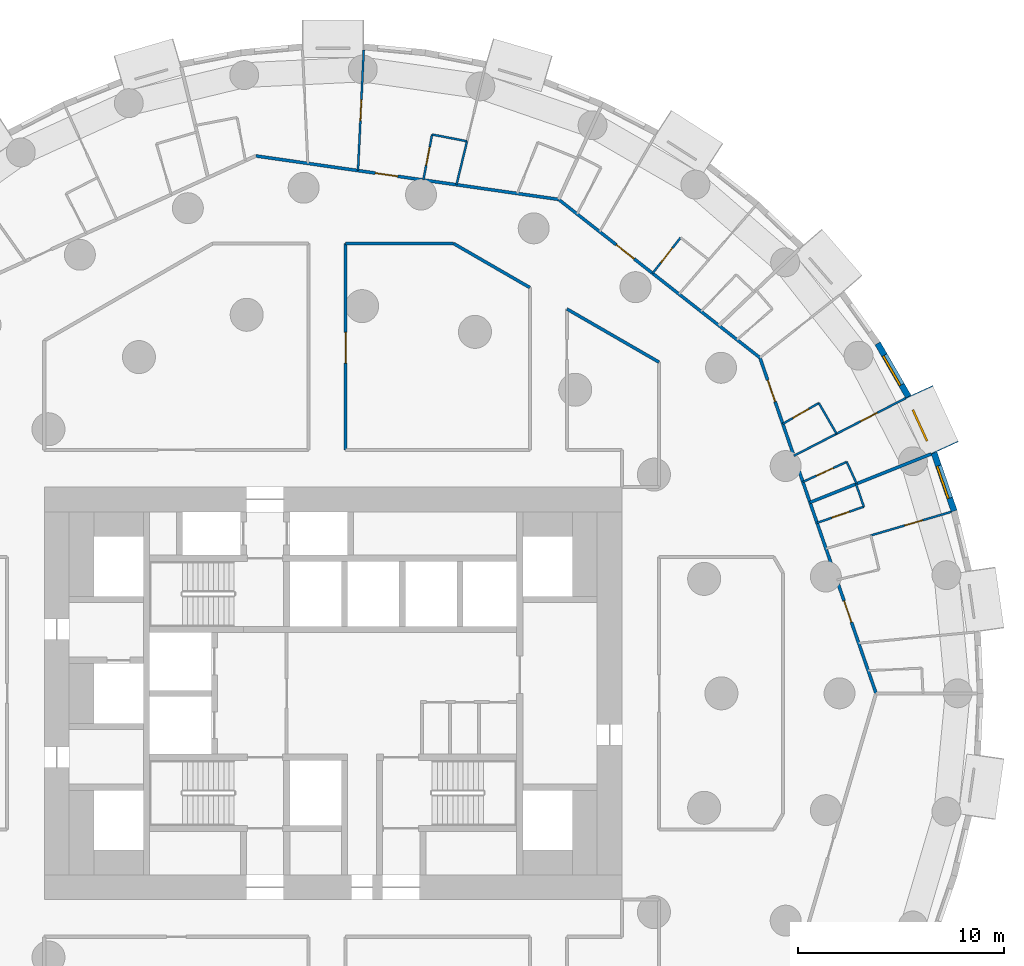
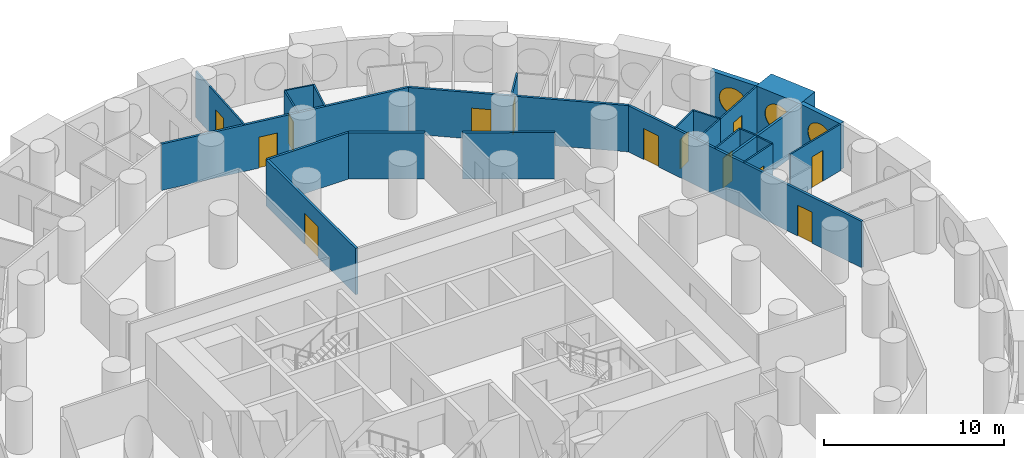
# One storey, part 9 of 12: 26 walls, 13 doors, 3 windows, 16 openings.
"""IFC4 building model written with IfcOpenShell, lengths in metres."""

from ifc_helpers import new_model, si_unit, direction, frame, frame_2d, origin, origin_2d, place, context, subcontext, project, spatial, rectangle, circle, extrude, material, layer, layer_set, type_object, element, fill, save


model = new_model("IFC4")

# Units and contexts
model_context = context("Model", 3, precision=1e-05, world=origin(), true_north=direction((0.0, 1.0)))
body_context = subcontext(model_context, "Body", "Model", "MODEL_VIEW")
ifc_project = project(units=[si_unit("LENGTHUNIT", "METRE"), si_unit("AREAUNIT", "SQUARE_METRE"), si_unit("VOLUMEUNIT", "CUBIC_METRE"), si_unit("PLANEANGLEUNIT", "RADIAN"), si_unit("MASSUNIT", "GRAM", prefix="KILO")], contexts=[model_context])

# Site, building, storey
site_placement = place(None, origin())
site = spatial("IfcSite", under=ifc_project, at=site_placement, CompositionType="ELEMENT")
building_placement = place(site_placement, origin())
building = spatial("IfcBuilding", under=site, at=building_placement, Name="Tracery Tower", CompositionType="ELEMENT")
storey_placement = place(building_placement, frame((0.0, 0.0, 46.199951171875)))
storey = spatial("IfcBuildingStorey", under=building, at=storey_placement, Name="L10", CompositionType="ELEMENT", Elevation=46.199951171875)

# Wall, opening, window
ifc_material_1 = material(Name="Precast concrete C50/60", Category="concrete")
ifc_layer_1 = layer(ifc_material_1, 1.449951171875)
ifc_layer_set_1 = layer_set([ifc_layer_1], Name="Deep-set bay unit 3000 x 3600, slab edge 450")
wall_type_1 = type_object("IfcWallType", Name="Deep-set bay unit 3000 x 3600, slab edge 450", PredefinedType="ELEMENTEDWALL", material=ifc_layer_set_1)
wall_1_placement = place(storey_placement, frame((29.653076171875, 11.89306640625, -0.449951171875), z_axis=(0.0, 0.0, 1.0), x_axis=(-0.415427028395, 0.909626508012, 0.0)))
wall_1 = element("IfcWall", 1, at=wall_1_placement, inside=storey, type_object=wall_type_1, Name="Deep-set bay unit 5 at L10", PredefinedType="ELEMENTEDWALL", context=body_context, shape_type="SweptSolid", body=[
    extrude(rectangle(XDim=3.000244140625, YDim=1.449951171875, at=frame_2d((1.5, 0.0))), origin(), (0.0, 0.0, 1.0), 3.60009765625),
])
opening_1_placement = place(wall_1_placement, frame((1.5, 0.0, 2.0)))
opening_1 = element("IfcOpeningElement", 2, at=opening_1_placement, cuts=wall_1, Name="Opening WN1", PredefinedType="OPENING", context=body_context, shape_type="SweptSolid", body=[
    extrude(circle(Radius=0.9000244140625, at=origin_2d()), frame((0.0, 0.73486328125, 0.0), z_axis=(0.0, -1.0, 0.0), x_axis=(1.0, 0.0, 0.0)), (0.0, 0.0, 1.0), 1.469970703125),
])
ifc_material_2 = material(Name="Aluminium frame with tinted double glazing", Category="aluminium")
window_type = type_object("IfcWindowType", Name="Round window 1800", PartitioningType="SINGLE_PANEL", PredefinedType="WINDOW", material=ifc_material_2)
window_1_placement = place(opening_1_placement, origin())
window_1 = element("IfcWindow", 3, at=window_1_placement, inside=storey, type_object=window_type, Name="Round window 5 at L10", OverallHeight=1.800048828125, OverallWidth=1.800048828125, PartitioningType="SINGLE_PANEL", PredefinedType="WINDOW", context=body_context, shape_type="SweptSolid", body=[
    extrude(circle(Radius=0.9000244140625, at=origin_2d()), frame((0.0, 0.69482421875, 0.0), z_axis=(0.0, -1.0, 0.0), x_axis=(1.0, 0.0, 0.0)), (0.0, 0.0, 1.0), 0.10009765625),
])
fill(opening_1, window_1)

ifc_material_3 = material(Name="Precast concrete C50/60", Category="concrete")
ifc_layer_2 = layer(ifc_material_3, 0.300048828125)
ifc_layer_set_2 = layer_set([ifc_layer_2], Name="Facade panel 3000 x 3150")
wall_type_2 = type_object("IfcWallType", Name="Facade panel 3000 x 3150", PredefinedType="SOLIDWALL", material=ifc_layer_set_2)
wall_2_placement = place(storey_placement, frame((30.103515625, 8.839111328125, 0.0), z_axis=(0.0, 0.0, 1.0), x_axis=(-0.327071167136, 0.944999709856, 0.0)))
wall_2 = element("IfcWall", 4, at=wall_2_placement, inside=storey, type_object=wall_type_2, Name="Facade panel 4 at L10", PredefinedType="SOLIDWALL", context=body_context, shape_type="SweptSolid", body=[
    extrude(rectangle(XDim=2.979736328125, YDim=0.300048828125, at=frame_2d((1.48974609375, 0.0))), origin(), (0.0, 0.0, 1.0), 3.150146484375),
])
opening_2_placement = place(wall_2_placement, frame((1.48974609375, 0.0, 1.5498046875)))
opening_2 = element("IfcOpeningElement", 5, at=opening_2_placement, cuts=wall_2, Name="Opening WN1", PredefinedType="OPENING", context=body_context, shape_type="SweptSolid", body=[
    extrude(circle(Radius=0.9000244140625, at=origin_2d()), frame((0.0, 0.159912109375, 0.0), z_axis=(0.0, -1.0, 0.0), x_axis=(1.0, 0.0, 0.0)), (0.0, 0.0, 1.0), 0.320068359375),
])
window_2_placement = place(opening_2_placement, origin())
window_2 = element("IfcWindow", 6, at=window_2_placement, inside=storey, type_object=window_type, Name="Round window 4 at L10", OverallHeight=1.800048828125, OverallWidth=1.800048828125, PartitioningType="SINGLE_PANEL", PredefinedType="WINDOW", context=body_context, shape_type="SweptSolid", body=[
    extrude(circle(Radius=0.9000244140625, at=origin_2d()), frame((0.0, 0.1201171875, 0.0), z_axis=(0.0, -1.0, 0.0), x_axis=(1.0, 0.0, 0.0)), (0.0, 0.0, 1.0), 0.10009765625),
])
fill(opening_2, window_2)

wall_3_placement = place(storey_placement, frame((27.8837890625, 14.3818359375, 0.0), z_axis=(0.0, 0.0, 1.0), x_axis=(-0.500025049464, 0.866010940986, 0.0)))
wall_3 = element("IfcWall", 7, at=wall_3_placement, inside=storey, type_object=wall_type_2, Name="Facade panel 6 at L10", PredefinedType="SOLIDWALL", context=body_context, shape_type="SweptSolid", body=[
    extrude(rectangle(XDim=2.979736328125, YDim=0.300048828125, at=frame_2d((1.48974609375, 0.0))), origin(), (0.0, 0.0, 1.0), 3.150146484375),
])
opening_3_placement = place(wall_3_placement, frame((1.48974609375, 0.0, 1.5498046875)))
opening_3 = element("IfcOpeningElement", 8, at=opening_3_placement, cuts=wall_3, Name="Opening WN1", PredefinedType="OPENING", context=body_context, shape_type="SweptSolid", body=[
    extrude(circle(Radius=0.9000244140625, at=origin_2d()), frame((0.0, 0.159912109375, 0.0), z_axis=(0.0, -1.0, 0.0), x_axis=(1.0, 0.0, 0.0)), (0.0, 0.0, 1.0), 0.320068359375),
])
window_3_placement = place(opening_3_placement, origin())
window_3 = element("IfcWindow", 9, at=window_3_placement, inside=storey, type_object=window_type, Name="Round window 6 at L10", OverallHeight=1.800048828125, OverallWidth=1.800048828125, PartitioningType="SINGLE_PANEL", PredefinedType="WINDOW", context=body_context, shape_type="SweptSolid", body=[
    extrude(circle(Radius=0.9000244140625, at=origin_2d()), frame((0.0, 0.1201171875, 0.0), z_axis=(0.0, -1.0, 0.0), x_axis=(1.0, 0.0, 0.0)), (0.0, 0.0, 1.0), 0.10009765625),
])
fill(opening_3, window_3)

# Wall, opening, door
ifc_material_4 = material(Name="Plasterboard on steel studs", Category="steel")
ifc_layer_3 = layer(ifc_material_4, 0.10009765625)
ifc_layer_set_3 = layer_set([ifc_layer_3], Name="Partition 100 stud")
wall_type_3 = type_object("IfcWallType", Name="Partition 100 stud", PredefinedType="PARTITIONING", material=ifc_layer_set_3)
wall_4_placement = place(storey_placement, frame((26.06396484375, 7.653076171875, 0.0), z_axis=(0.0, 0.0, 1.0), x_axis=(0.959468862097, 0.281814660134, 0.0)))
wall_4 = element("IfcWall", 10, at=wall_4_placement, inside=storey, type_object=wall_type_3, Name="Stud partition RA2-061", PredefinedType="PARTITIONING", context=body_context, shape_type="SweptSolid", body=[
    extrude(rectangle(XDim=4.0595703125, YDim=0.10009765625, at=frame_2d((2.02978515625, 0.0))), origin(), (0.0, 0.0, 1.0), 3.150146484375),
])
opening_4_placement = place(wall_4_placement, frame((1.718017578125, 0.0, 0.0)))
opening_4 = element("IfcOpeningElement", 11, at=opening_4_placement, cuts=wall_4, Name="Opening RA2-13", PredefinedType="OPENING", context=body_context, shape_type="SweptSolid", body=[
    extrude(rectangle(XDim=0.89990234375, YDim=2.10009765625, at=frame_2d((0.449951171875, 1.050048828125))), frame((0.0, 0.050048828125, 0.0), z_axis=(0.0, -1.0, 0.0), x_axis=(1.0, 0.0, 0.0)), (0.0, 0.0, 1.0), 0.10009765625),
])
ifc_material_5 = material(Name="Timber door leaf", Category="wood")
door_type_1 = type_object("IfcDoorType", Name="Door bedroom 900", OperationType="NOTDEFINED", PredefinedType="DOOR", material=ifc_material_5)
door_1_placement = place(opening_4_placement, origin())
door_1 = element("IfcDoor", 12, at=door_1_placement, inside=storey, type_object=door_type_1, Name="Bedroom door RA2-13", OperationType="SINGLE_SWING_RIGHT", OverallHeight=2.10009765625, OverallWidth=0.89990234375, PredefinedType="DOOR", context=body_context, shape_type="SweptSolid", body=[
    extrude(rectangle(XDim=0.89990234375, YDim=2.10009765625, at=frame_2d((0.449951171875, 1.050048828125))), frame((0.0, 0.02490234375, 0.0), z_axis=(0.0, -1.0, 0.0), x_axis=(1.0, 0.0, 0.0)), (0.0, 0.0, 1.0), 0.050048828125),
])
fill(opening_4, door_1)

wall_5_placement = place(storey_placement, frame((24.404052734375, 12.58203125, 0.0), z_axis=(0.0, 0.0, 1.0), x_axis=(0.888877805079, 0.458144352403, 0.0)))
wall_5 = element("IfcWall", 13, at=wall_5_placement, inside=storey, type_object=wall_type_3, Name="Stud partition RA2-072", PredefinedType="PARTITIONING", context=body_context, shape_type="SweptSolid", body=[
    extrude(rectangle(XDim=3.767578125, YDim=0.10009765625, at=frame_2d((1.8837890625, 0.0))), origin(), (0.0, 0.0, 1.0), 3.150146484375),
])
opening_5_placement = place(wall_5_placement, frame((1.310546875, 0.0, 0.0)))
opening_5 = element("IfcOpeningElement", 14, at=opening_5_placement, cuts=wall_5, Name="Opening RA2-17", PredefinedType="OPENING", context=body_context, shape_type="SweptSolid", body=[
    extrude(rectangle(XDim=0.89990234375, YDim=2.10009765625, at=frame_2d((0.449951171875, 1.050048828125))), frame((0.0, 0.050048828125, 0.0), z_axis=(0.0, -1.0, 0.0), x_axis=(1.0, 0.0, 0.0)), (0.0, 0.0, 1.0), 0.10009765625),
])
door_2_placement = place(opening_5_placement, origin())
door_2 = element("IfcDoor", 15, at=door_2_placement, inside=storey, type_object=door_type_1, Name="Bedroom door RA2-17", OperationType="SINGLE_SWING_RIGHT", OverallHeight=2.10009765625, OverallWidth=0.89990234375, PredefinedType="DOOR", context=body_context, shape_type="SweptSolid", body=[
    extrude(rectangle(XDim=0.89990234375, YDim=2.10009765625, at=frame_2d((0.449951171875, 1.050048828125))), frame((0.0, 0.02490234375, 0.0), z_axis=(0.0, -1.0, 0.0), x_axis=(1.0, 0.0, 0.0)), (0.0, 0.0, 1.0), 0.050048828125),
])
fill(opening_5, door_2)

wall_6_placement = place(storey_placement, frame((1.20703125, 25.339111328125, 0.0), z_axis=(0.0, 0.0, 1.0), x_axis=(0.047648334785, 0.998864173045, 0.0)))
wall_6 = element("IfcWall", 16, at=wall_6_placement, inside=storey, type_object=wall_type_3, Name="Stud partition RA2-090", PredefinedType="PARTITIONING", context=body_context, shape_type="SweptSolid", body=[
    extrude(rectangle(XDim=5.8564453125, YDim=0.10009765625, at=frame_2d((2.92822265625, 0.0))), origin(), (0.0, 0.0, 1.0), 3.150146484375),
])
opening_6_placement = place(wall_6_placement, frame((2.427978515625, 0.0, 0.0)))
opening_6 = element("IfcOpeningElement", 17, at=opening_6_placement, cuts=wall_6, Name="Opening RA2-28", PredefinedType="OPENING", context=body_context, shape_type="SweptSolid", body=[
    extrude(rectangle(XDim=1.0, YDim=2.0400390625, at=frame_2d((0.5, 1.02001953125))), frame((0.0, 0.050048828125, 0.0), z_axis=(0.0, -1.0, 0.0), x_axis=(1.0, 0.0, 0.0)), (0.0, 0.0, 1.0), 0.10009765625),
])
ifc_material_6 = material(Name="Timber door leaf", Category="wood")
door_type_2 = type_object("IfcDoorType", Name="Door communal room 1000", OperationType="NOTDEFINED", PredefinedType="DOOR", material=ifc_material_6)
door_3_placement = place(opening_6_placement, origin())
door_3 = element("IfcDoor", 18, at=door_3_placement, inside=storey, type_object=door_type_2, Name="Communal room door RA2-28", OperationType="SINGLE_SWING_LEFT", OverallHeight=2.0400390625, OverallWidth=1.0, PredefinedType="DOOR", context=body_context, shape_type="SweptSolid", body=[
    extrude(rectangle(XDim=1.0, YDim=2.0400390625, at=frame_2d((0.5, 1.02001953125))), frame((0.0, 0.02490234375, 0.0), z_axis=(0.0, -1.0, 0.0), x_axis=(1.0, 0.0, 0.0)), (0.0, 0.0, 1.0), 0.050048828125),
])
fill(opening_6, door_3)

ifc_material_7 = material(Name="Plasterboard on steel studs", Category="steel")
ifc_layer_4 = layer(ifc_material_7, 0.10009765625)
ifc_layer_set_4 = layer_set([ifc_layer_4], Name="Partition 100 wet wall")
wall_type_4 = type_object("IfcWallType", Name="Partition 100 wet wall", PredefinedType="PARTITIONING", material=ifc_layer_set_4)
wall_7_placement = place(storey_placement, frame((23.458984375, 8.262939453125, 0.0), z_axis=(0.0, 0.0, 1.0), x_axis=(0.944978817091, 0.327131525917, 0.0)))
wall_7 = element("IfcWall", 19, at=wall_7_placement, inside=storey, type_object=wall_type_4, Name="Wet wall RA2-066", PredefinedType="PARTITIONING", context=body_context, shape_type="SweptSolid", body=[
    extrude(rectangle(XDim=2.400146484375, YDim=0.10009765625, at=frame_2d((1.2001953125, 0.0))), origin(), (0.0, 0.0, 1.0), 3.150146484375),
])
opening_7_placement = place(wall_7_placement, frame((0.75, 0.0, 0.0)))
opening_7 = element("IfcOpeningElement", 20, at=opening_7_placement, cuts=wall_7, Name="Opening RA2-14", PredefinedType="OPENING", context=body_context, shape_type="SweptSolid", body=[
    extrude(rectangle(XDim=0.89990234375, YDim=2.0400390625, at=frame_2d((0.449951171875, 1.02001953125))), frame((0.0, 0.050048828125, 0.0), z_axis=(0.0, -1.0, 0.0), x_axis=(1.0, 0.0, 0.0)), (0.0, 0.0, 1.0), 0.10009765625),
])
ifc_material_8 = material(Name="Timber door leaf", Category="wood")
door_type_3 = type_object("IfcDoorType", Name="Door en-suite 900", OperationType="NOTDEFINED", PredefinedType="DOOR", material=ifc_material_8)
door_4_placement = place(opening_7_placement, origin())
door_4 = element("IfcDoor", 21, at=door_4_placement, inside=storey, type_object=door_type_3, Name="En-suite door RA2-14", OperationType="SINGLE_SWING_LEFT", OverallHeight=2.0400390625, OverallWidth=0.89990234375, PredefinedType="DOOR", context=body_context, shape_type="SweptSolid", body=[
    extrude(rectangle(XDim=0.89990234375, YDim=2.0400390625, at=frame_2d((0.449951171875, 1.02001953125))), frame((0.0, 0.02490234375, 0.0), z_axis=(0.0, -1.0, 0.0), x_axis=(1.0, 0.0, 0.0)), (0.0, 0.0, 1.0), 0.050048828125),
])
fill(opening_7, door_4)

# Walls
wall_8_placement = place(storey_placement, frame((25.345947265625, 10.14697265625, 0.0), z_axis=(0.0, 0.0, 1.0), x_axis=(0.327665639351, -0.944793749338, 0.0)))
element("IfcWall", 22, at=wall_8_placement, inside=storey, type_object=wall_type_4, Name="Wet wall RA2-067", PredefinedType="PARTITIONING", context=body_context, shape_type="SweptSolid", body=[
    extrude(rectangle(XDim=1.1630859375, YDim=0.10009765625, at=frame_2d((0.58154296875, 0.0))), origin(), (0.0, 0.0, 1.0), 3.150146484375),
])
wall_9_placement = place(storey_placement, frame((23.5439453125, 14.072021484375, 0.0), z_axis=(0.0, 0.0, 1.0), x_axis=(0.499939472521, -0.866060346521, 0.0)))
element("IfcWall", 23, at=wall_9_placement, inside=storey, type_object=wall_type_4, Name="Wet wall RA2-070", PredefinedType="PARTITIONING", context=body_context, shape_type="SweptSolid", body=[
    extrude(rectangle(XDim=1.720458984375, YDim=0.10009765625, at=frame_2d((0.8603515625, 0.0))), origin(), (0.0, 0.0, 1.0), 3.150146484375),
])

# Wall, opening, door
wall_10_placement = place(storey_placement, frame((21.798095703125, 13.06298828125, 0.0), z_axis=(0.0, 0.0, 1.0), x_axis=(0.865796302872, 0.500396604638, 0.0)))
wall_10 = element("IfcWall", 24, at=wall_10_placement, inside=storey, type_object=wall_type_4, Name="Wet wall RA2-071", PredefinedType="PARTITIONING", context=body_context, shape_type="SweptSolid", body=[
    extrude(rectangle(XDim=2.016357421875, YDim=0.10009765625, at=frame_2d((1.00830078125, 0.0))), origin(), (0.0, 0.0, 1.0), 3.150146484375),
])
opening_8_placement = place(wall_10_placement, frame((0.55859375, 0.0, 0.0)))
opening_8 = element("IfcOpeningElement", 25, at=opening_8_placement, cuts=wall_10, Name="Opening RA2-16", PredefinedType="OPENING", context=body_context, shape_type="SweptSolid", body=[
    extrude(rectangle(XDim=0.89990234375, YDim=2.0, at=frame_2d((0.449951171875, 1.0))), frame((0.0, 0.050048828125, 0.0), z_axis=(0.0, -1.0, 0.0), x_axis=(1.0, 0.0, 0.0)), (0.0, 0.0, 1.0), 0.10009765625),
])
ifc_material_9 = material(Name="Timber door leaf", Category="wood")
door_type_4 = type_object("IfcDoorType", Name="Door shower room 900", OperationType="NOTDEFINED", PredefinedType="DOOR", material=ifc_material_9)
door_5_placement = place(opening_8_placement, origin())
door_5 = element("IfcDoor", 26, at=door_5_placement, inside=storey, type_object=door_type_4, Name="Shower room door RA2-16", OperationType="SINGLE_SWING_LEFT", OverallHeight=2.0, OverallWidth=0.89990234375, PredefinedType="DOOR", context=body_context, shape_type="SweptSolid", body=[
    extrude(rectangle(XDim=0.89990234375, YDim=2.0, at=frame_2d((0.449951171875, 1.0))), frame((0.0, 0.02490234375, 0.0), z_axis=(0.0, -1.0, 0.0), x_axis=(1.0, 0.0, 0.0)), (0.0, 0.0, 1.0), 0.050048828125),
])
fill(opening_8, door_5)

# Walls
wall_11_placement = place(storey_placement, frame((22.333984375, 11.513916015625, 0.0), z_axis=(0.0, 0.0, 1.0), x_axis=(0.888674390259, 0.45853879672, 0.0)))
element("IfcWall", 27, at=wall_11_placement, inside=storey, type_object=wall_type_4, Name="Wet wall RA2-074", PredefinedType="PARTITIONING", context=body_context, shape_type="SweptSolid", body=[
    extrude(rectangle(XDim=2.329345703125, YDim=0.10009765625, at=frame_2d((1.16455078125, 0.0))), origin(), (0.0, 0.0, 1.0), 3.150146484375),
])
wall_12_placement = place(storey_placement, frame((24.89599609375, 11.219970703125, 0.0), z_axis=(0.0, 0.0, 1.0), x_axis=(0.415254658207, -0.909705209855, 0.0)))
element("IfcWall", 28, at=wall_12_placement, inside=storey, type_object=wall_type_4, Name="Wet wall RA2-075", PredefinedType="PARTITIONING", context=body_context, shape_type="SweptSolid", body=[
    extrude(rectangle(XDim=1.165283203125, YDim=0.10009765625, at=frame_2d((0.58251953125, 0.0))), origin(), (0.0, 0.0, 1.0), 3.150146484375),
])

# Wall, opening, door
wall_13_placement = place(storey_placement, frame((22.77099609375, 10.25, 0.0), z_axis=(0.0, 0.0, 1.0), x_axis=(0.909710320081, 0.415243462969, 0.0)))
wall_13 = element("IfcWall", 29, at=wall_13_placement, inside=storey, type_object=wall_type_4, Name="Wet wall RA2-076", PredefinedType="PARTITIONING", context=body_context, shape_type="SweptSolid", body=[
    extrude(rectangle(XDim=2.3359375, YDim=0.10009765625, at=frame_2d((1.16796875, 0.0))), origin(), (0.0, 0.0, 1.0), 3.150146484375),
])
opening_9_placement = place(wall_13_placement, frame((0.718017578125, 0.0, 0.0)))
opening_9 = element("IfcOpeningElement", 30, at=opening_9_placement, cuts=wall_13, Name="Opening RA2-18", PredefinedType="OPENING", context=body_context, shape_type="SweptSolid", body=[
    extrude(rectangle(XDim=0.89990234375, YDim=2.0400390625, at=frame_2d((0.449951171875, 1.02001953125))), frame((0.0, 0.050048828125, 0.0), z_axis=(0.0, -1.0, 0.0), x_axis=(1.0, 0.0, 0.0)), (0.0, 0.0, 1.0), 0.10009765625),
])
door_6_placement = place(opening_9_placement, origin())
door_6 = element("IfcDoor", 31, at=door_6_placement, inside=storey, type_object=door_type_3, Name="En-suite door RA2-18", OperationType="SINGLE_SWING_RIGHT", OverallHeight=2.0400390625, OverallWidth=0.89990234375, PredefinedType="DOOR", context=body_context, shape_type="SweptSolid", body=[
    extrude(rectangle(XDim=0.89990234375, YDim=2.0400390625, at=frame_2d((0.449951171875, 1.02001953125))), frame((0.0, 0.02490234375, 0.0), z_axis=(0.0, -1.0, 0.0), x_axis=(1.0, 0.0, 0.0)), (0.0, 0.0, 1.0), 0.050048828125),
])
fill(opening_9, door_6)

wall_14_placement = place(storey_placement, frame((15.485107421875, 20.361083984375, 0.0), z_axis=(0.0, 0.0, 1.0), x_axis=(0.618203810204, 0.786017842704, 0.0)))
wall_14 = element("IfcWall", 32, at=wall_14_placement, inside=storey, type_object=wall_type_4, Name="Wet wall RA2-081", PredefinedType="PARTITIONING", context=body_context, shape_type="SweptSolid", body=[
    extrude(rectangle(XDim=2.19970703125, YDim=0.10009765625, at=frame_2d((1.099853515625, 0.0))), origin(), (0.0, 0.0, 1.0), 3.150146484375),
])
opening_10_placement = place(wall_14_placement, frame((0.64990234375, 0.0, 0.0)))
opening_10 = element("IfcOpeningElement", 33, at=opening_10_placement, cuts=wall_14, Name="Opening RA2-22", PredefinedType="OPENING", context=body_context, shape_type="SweptSolid", body=[
    extrude(rectangle(XDim=0.89990234375, YDim=2.0, at=frame_2d((0.449951171875, 1.0))), frame((0.0, 0.050048828125, 0.0), z_axis=(0.0, -1.0, 0.0), x_axis=(1.0, 0.0, 0.0)), (0.0, 0.0, 1.0), 0.10009765625),
])
door_7_placement = place(opening_10_placement, origin())
door_7 = element("IfcDoor", 34, at=door_7_placement, inside=storey, type_object=door_type_4, Name="Shower room door RA2-22", OperationType="SINGLE_SWING_RIGHT", OverallHeight=2.0, OverallWidth=0.89990234375, PredefinedType="DOOR", context=body_context, shape_type="SweptSolid", body=[
    extrude(rectangle(XDim=0.89990234375, YDim=2.0, at=frame_2d((0.449951171875, 1.0))), frame((0.0, 0.02490234375, 0.0), z_axis=(0.0, -1.0, 0.0), x_axis=(1.0, 0.0, 0.0)), (0.0, 0.0, 1.0), 0.050048828125),
])
fill(opening_10, door_7)

# Wall
wall_15_placement = place(storey_placement, frame((4.799072265625, 27.087890625, 0.0), z_axis=(0.0, 0.0, 1.0), x_axis=(0.981966020483, -0.189057490243, 0.0)))
element("IfcWall", 35, at=wall_15_placement, inside=storey, type_object=wall_type_4, Name="Wet wall RA2-091", PredefinedType="PARTITIONING", context=body_context, shape_type="SweptSolid", body=[
    extrude(rectangle(XDim=1.723876953125, YDim=0.10009765625, at=frame_2d((0.86181640625, 0.0))), origin(), (0.0, 0.0, 1.0), 3.150146484375),
])

# Wall, opening, door
wall_16_placement = place(storey_placement, frame((4.3740234375, 24.883056640625, 0.0), z_axis=(0.0, 0.0, 1.0), x_axis=(0.189295003519, 0.981920262365, 0.0)))
wall_16 = element("IfcWall", 36, at=wall_16_placement, inside=storey, type_object=wall_type_4, Name="Wet wall RA2-092", PredefinedType="PARTITIONING", context=body_context, shape_type="SweptSolid", body=[
    extrude(rectangle(XDim=2.245361328125, YDim=0.10009765625, at=frame_2d((1.12255859375, 0.0))), origin(), (0.0, 0.0, 1.0), 3.150146484375),
])
opening_11_placement = place(wall_16_placement, frame((0.72265625, 0.0, 0.0)))
opening_11 = element("IfcOpeningElement", 37, at=opening_11_placement, cuts=wall_16, Name="Opening RA2-29", PredefinedType="OPENING", context=body_context, shape_type="SweptSolid", body=[
    extrude(rectangle(XDim=0.89990234375, YDim=2.0, at=frame_2d((0.449951171875, 1.0))), frame((0.0, 0.050048828125, 0.0), z_axis=(0.0, -1.0, 0.0), x_axis=(1.0, 0.0, 0.0)), (0.0, 0.0, 1.0), 0.10009765625),
])
door_8_placement = place(opening_11_placement, origin())
door_8 = element("IfcDoor", 38, at=door_8_placement, inside=storey, type_object=door_type_4, Name="Shower room door RA2-29", OperationType="SINGLE_SWING_LEFT", OverallHeight=2.0, OverallWidth=0.89990234375, PredefinedType="DOOR", context=body_context, shape_type="SweptSolid", body=[
    extrude(rectangle(XDim=0.89990234375, YDim=2.0, at=frame_2d((0.449951171875, 1.0))), frame((0.0, 0.02490234375, 0.0), z_axis=(0.0, -1.0, 0.0), x_axis=(1.0, 0.0, 0.0)), (0.0, 0.0, 1.0), 0.050048828125),
])
fill(opening_11, door_8)

# Walls
wall_17_placement = place(storey_placement, frame((5.98095703125, 24.652099609375, 0.0), z_axis=(0.0, 0.0, 1.0), x_axis=(0.235384360709, 0.971902362757, 0.0)))
element("IfcWall", 39, at=wall_17_placement, inside=storey, type_object=wall_type_4, Name="Wet wall RA2-095", PredefinedType="PARTITIONING", context=body_context, shape_type="SweptSolid", body=[
    extrude(rectangle(XDim=2.1708984375, YDim=0.10009765625, at=frame_2d((1.08544921875, 0.0))), origin(), (0.0, 0.0, 1.0), 3.150146484375),
])
ifc_material_10 = material(Name="Plasterboard on steel studs", Category="steel")
ifc_layer_5 = layer(ifc_material_10, 0.14990234375)
ifc_layer_set_5 = layer_set([ifc_layer_5], Name="Partition 150 acoustic unit wall")
wall_type_5 = type_object("IfcWallType", Name="Partition 150 acoustic unit wall", PredefinedType="PARTITIONING", material=ifc_layer_set_5)
wall_18_placement = place(storey_placement, frame((25.3759765625, 10.158935546875, 0.0), z_axis=(0.0, 0.0, 1.0), x_axis=(0.928368463908, 0.371661129553, 0.0)))
element("IfcWall", 40, at=wall_18_placement, inside=storey, type_object=wall_type_5, Name="Unit wall RA2-068", PredefinedType="PARTITIONING", context=body_context, shape_type="SweptSolid", body=[
    extrude(rectangle(XDim=3.890869140625, YDim=0.14990234375, at=frame_2d((1.9453125, 0.0))), origin(), (0.0, 0.0, 1.0), 3.150146484375),
])
wall_19_placement = place(storey_placement, frame((23.115966796875, 9.25390625, 0.0), z_axis=(0.0, 0.0, 1.0), x_axis=(0.928322407966, 0.371776151559, 0.0)))
element("IfcWall", 41, at=wall_19_placement, inside=storey, type_object=wall_type_5, Name="Unit wall RA2-069", PredefinedType="PARTITIONING", context=body_context, shape_type="SweptSolid", body=[
    extrude(rectangle(XDim=2.402099609375, YDim=0.14990234375, at=frame_2d((1.201171875, 0.0))), origin(), (0.0, 0.0, 1.0), 3.150146484375),
])

# Wall, openings, doors
ifc_material_11 = material(Name="Plasterboard on steel studs", Category="steel")
ifc_layer_6 = layer(ifc_material_11, 0.14990234375)
ifc_layer_set_6 = layer_set([ifc_layer_6], Name="Partition 150 corridor wall")
wall_type_6 = type_object("IfcWallType", Name="Partition 150 corridor wall", PredefinedType="PARTITIONING", material=ifc_layer_set_6)
wall_20_placement = place(storey_placement, frame((20.68896484375, 16.269287109375, 0.0), z_axis=(0.0, 0.0, 1.0), x_axis=(0.327000485361, -0.945024170365, 0.0)))
wall_20 = element("IfcWall", 42, at=wall_20_placement, inside=storey, type_object=wall_type_6, Name="Corridor wall RA2-020", PredefinedType="PARTITIONING", context=body_context, shape_type="SweptSolid", body=[
    extrude(rectangle(XDim=17.216064453125, YDim=0.14990234375, at=frame_2d((8.60791015625, 0.0))), origin(), (0.0, 0.0, 1.0), 3.150146484375),
])
opening_12_placement = place(wall_20_placement, frame((12.4697265625, 0.0, 0.0)))
opening_12 = element("IfcOpeningElement", 43, at=opening_12_placement, cuts=wall_20, Name="Opening RA2-09", PredefinedType="OPENING", context=body_context, shape_type="SweptSolid", body=[
    extrude(rectangle(XDim=1.10009765625, YDim=2.10009765625, at=frame_2d((0.550048828125, 1.050048828125))), frame((0.0, 0.074951171875, 0.0), z_axis=(0.0, -1.0, 0.0), x_axis=(1.0, 0.0, 0.0)), (0.0, 0.0, 1.0), 0.14990234375),
])
opening_13_placement = place(wall_20_placement, frame((1.14794921875, 0.0, 0.0)))
opening_13 = element("IfcOpeningElement", 44, at=opening_13_placement, cuts=wall_20, Name="Opening RA2-15", PredefinedType="OPENING", context=body_context, shape_type="SweptSolid", body=[
    extrude(rectangle(XDim=1.10009765625, YDim=2.10009765625, at=frame_2d((0.550048828125, 1.050048828125))), frame((0.0, 0.074951171875, 0.0), z_axis=(0.0, -1.0, 0.0), x_axis=(1.0, 0.0, 0.0)), (0.0, 0.0, 1.0), 0.14990234375),
])
ifc_material_12 = material(Name="Timber door leaf", Category="wood")
door_type_5 = type_object("IfcDoorType", Name="Door cluster entrance 1100", OperationType="NOTDEFINED", PredefinedType="DOOR", material=ifc_material_12)
door_9_placement = place(opening_12_placement, origin())
door_9 = element("IfcDoor", 45, at=door_9_placement, inside=storey, type_object=door_type_5, Name="Cluster entrance door RA2-09", OperationType="SINGLE_SWING_LEFT", OverallHeight=2.10009765625, OverallWidth=1.10009765625, PredefinedType="DOOR", context=body_context, shape_type="SweptSolid", body=[
    extrude(rectangle(XDim=1.10009765625, YDim=2.10009765625, at=frame_2d((0.550048828125, 1.050048828125))), frame((0.0, 0.02490234375, 0.0), z_axis=(0.0, -1.0, 0.0), x_axis=(1.0, 0.0, 0.0)), (0.0, 0.0, 1.0), 0.050048828125),
])
fill(opening_12, door_9)
door_10_placement = place(opening_13_placement, origin())
door_10 = element("IfcDoor", 46, at=door_10_placement, inside=storey, type_object=door_type_5, Name="Cluster entrance door RA2-15", OperationType="SINGLE_SWING_LEFT", OverallHeight=2.10009765625, OverallWidth=1.10009765625, PredefinedType="DOOR", context=body_context, shape_type="SweptSolid", body=[
    extrude(rectangle(XDim=1.10009765625, YDim=2.10009765625, at=frame_2d((0.550048828125, 1.050048828125))), frame((0.0, 0.02490234375, 0.0), z_axis=(0.0, -1.0, 0.0), x_axis=(1.0, 0.0, 0.0)), (0.0, 0.0, 1.0), 0.050048828125),
])
fill(opening_13, door_10)

# Wall, opening, door
wall_21_placement = place(storey_placement, frame((10.93310546875, 23.93994140625, 0.0), z_axis=(0.0, 0.0, 1.0), x_axis=(0.786069782367, -0.618137765591, 0.0)))
wall_21 = element("IfcWall", 47, at=wall_21_placement, inside=storey, type_object=wall_type_6, Name="Corridor wall RA2-021", PredefinedType="PARTITIONING", context=body_context, shape_type="SweptSolid", body=[
    extrude(rectangle(XDim=12.40966796875, YDim=0.14990234375, at=frame_2d((6.204833984375, 0.0))), origin(), (0.0, 0.0, 1.0), 3.150146484375),
])
opening_14_placement = place(wall_21_placement, frame((3.558837890625, 0.0, 0.0)))
opening_14 = element("IfcOpeningElement", 48, at=opening_14_placement, cuts=wall_21, Name="Opening RA2-21", PredefinedType="OPENING", context=body_context, shape_type="SweptSolid", body=[
    extrude(rectangle(XDim=1.10009765625, YDim=2.10009765625, at=frame_2d((0.550048828125, 1.050048828125))), frame((0.0, 0.074951171875, 0.0), z_axis=(0.0, -1.0, 0.0), x_axis=(1.0, 0.0, 0.0)), (0.0, 0.0, 1.0), 0.14990234375),
])
door_11_placement = place(opening_14_placement, origin())
door_11 = element("IfcDoor", 49, at=door_11_placement, inside=storey, type_object=door_type_5, Name="Cluster entrance door RA2-21", OperationType="SINGLE_SWING_LEFT", OverallHeight=2.10009765625, OverallWidth=1.10009765625, PredefinedType="DOOR", context=body_context, shape_type="SweptSolid", body=[
    extrude(rectangle(XDim=1.10009765625, YDim=2.10009765625, at=frame_2d((0.550048828125, 1.050048828125))), frame((0.0, 0.02490234375, 0.0), z_axis=(0.0, -1.0, 0.0), x_axis=(1.0, 0.0, 0.0)), (0.0, 0.0, 1.0), 0.050048828125),
])
fill(opening_14, door_11)

# Walls
wall_22_placement = place(storey_placement, frame((5.842041015625, 21.802001953125, 0.0), z_axis=(0.0, 0.0, 1.0), x_axis=(0.865983505205, -0.500072563448, 0.0)))
element("IfcWall", 50, at=wall_22_placement, inside=storey, type_object=wall_type_6, Name="Corridor wall RA2-029", PredefinedType="PARTITIONING", context=body_context, shape_type="SweptSolid", body=[
    extrude(rectangle(XDim=4.265380859375, YDim=0.14990234375, at=frame_2d((2.1328125, 0.0))), origin(), (0.0, 0.0, 1.0), 3.150146484375),
])
wall_23_placement = place(storey_placement, frame((0.60791015625, 21.802001953125, 0.0), z_axis=(0.0, 0.0, 1.0), x_axis=(1.0, 0.0, 0.0)))
element("IfcWall", 51, at=wall_23_placement, inside=storey, type_object=wall_type_6, Name="Corridor wall RA2-030", PredefinedType="PARTITIONING", context=body_context, shape_type="SweptSolid", body=[
    extrude(rectangle(XDim=5.234130859375, YDim=0.14990234375, at=frame_2d((2.6171875, 0.0))), origin(), (0.0, 0.0, 1.0), 3.150146484375),
])

# Wall, opening, door
wall_24_placement = place(storey_placement, frame((0.60791015625, 11.800048828125, 0.0), z_axis=(0.0, 0.0, 1.0), x_axis=(0.0, 1.0, 0.0)))
wall_24 = element("IfcWall", 52, at=wall_24_placement, inside=storey, type_object=wall_type_6, Name="Corridor wall RA2-031", PredefinedType="PARTITIONING", context=body_context, shape_type="SweptSolid", body=[
    extrude(rectangle(XDim=10.001953125, YDim=0.14990234375, at=frame_2d((5.0009765625, 0.0))), origin(), (0.0, 0.0, 1.0), 3.150146484375),
])
opening_15_placement = place(wall_24_placement, frame((4.200927734375, 0.0, 0.0)))
opening_15 = element("IfcOpeningElement", 53, at=opening_15_placement, cuts=wall_24, Name="Opening RA2-02", PredefinedType="OPENING", context=body_context, shape_type="SweptSolid", body=[
    extrude(rectangle(XDim=1.5, YDim=2.10009765625, at=frame_2d((0.75, 1.050048828125))), frame((0.0, 0.074951171875, 0.0), z_axis=(0.0, -1.0, 0.0), x_axis=(1.0, 0.0, 0.0)), (0.0, 0.0, 1.0), 0.14990234375),
])
ifc_material_13 = material(Name="Timber door leaf", Category="wood")
door_type_6 = type_object("IfcDoorType", Name="Door double kitchen 1500", OperationType="NOTDEFINED", PredefinedType="DOOR", material=ifc_material_13)
door_12_placement = place(opening_15_placement, origin())
door_12 = element("IfcDoor", 54, at=door_12_placement, inside=storey, type_object=door_type_6, Name="Double kitchen door RA2-02", OperationType="DOUBLE_DOOR_SINGLE_SWING", OverallHeight=2.10009765625, OverallWidth=1.5, PredefinedType="DOOR", context=body_context, shape_type="SweptSolid", body=[
    extrude(rectangle(XDim=1.5, YDim=2.10009765625, at=frame_2d((0.75, 1.050048828125))), frame((0.0, 0.02490234375, 0.0), z_axis=(0.0, -1.0, 0.0), x_axis=(1.0, 0.0, 0.0)), (0.0, 0.0, 1.0), 0.050048828125),
])
fill(opening_15, door_12)

# Wall
wall_25_placement = place(storey_placement, frame((11.3359375, 18.6298828125, 0.0), z_axis=(0.0, 0.0, 1.0), x_axis=(0.866063337164, -0.499934291702, 0.0)))
element("IfcWall", 55, at=wall_25_placement, inside=storey, type_object=wall_type_6, Name="Corridor wall RA2-032", PredefinedType="PARTITIONING", context=body_context, shape_type="SweptSolid", body=[
    extrude(rectangle(XDim=5.154541015625, YDim=0.14990234375, at=frame_2d((2.5771484375, 0.0))), origin(), (0.0, 0.0, 1.0), 3.150146484375),
])

# Wall, opening, door
wall_26_placement = place(storey_placement, frame((-3.74609375, 26.0498046875, 0.0), z_axis=(0.0, 0.0, 1.0), x_axis=(0.989841871115, -0.14217267736, 0.0)))
wall_26 = element("IfcWall", 56, at=wall_26_placement, inside=storey, type_object=wall_type_6, Name="Corridor wall RA2-034", PredefinedType="PARTITIONING", context=body_context, shape_type="SweptSolid", body=[
    extrude(rectangle(XDim=14.829833984375, YDim=0.14990234375, at=frame_2d((7.4150390625, 0.0))), origin(), (0.0, 0.0, 1.0), 3.150146484375),
])
opening_16_placement = place(wall_26_placement, frame((5.85400390625, 0.0, 0.0)))
opening_16 = element("IfcOpeningElement", 57, at=opening_16_placement, cuts=wall_26, Name="Opening RA2-27", PredefinedType="OPENING", context=body_context, shape_type="SweptSolid", body=[
    extrude(rectangle(XDim=1.10009765625, YDim=2.10009765625, at=frame_2d((0.550048828125, 1.050048828125))), frame((0.0, 0.074951171875, 0.0), z_axis=(0.0, -1.0, 0.0), x_axis=(1.0, 0.0, 0.0)), (0.0, 0.0, 1.0), 0.14990234375),
])
door_13_placement = place(opening_16_placement, origin())
door_13 = element("IfcDoor", 58, at=door_13_placement, inside=storey, type_object=door_type_5, Name="Cluster entrance door RA2-27", OperationType="SINGLE_SWING_LEFT", OverallHeight=2.10009765625, OverallWidth=1.10009765625, PredefinedType="DOOR", context=body_context, shape_type="SweptSolid", body=[
    extrude(rectangle(XDim=1.10009765625, YDim=2.10009765625, at=frame_2d((0.550048828125, 1.050048828125))), frame((0.0, 0.02490234375, 0.0), z_axis=(0.0, -1.0, 0.0), x_axis=(1.0, 0.0, 0.0)), (0.0, 0.0, 1.0), 0.050048828125),
])
fill(opening_16, door_13)

save(model, "model.ifc")
